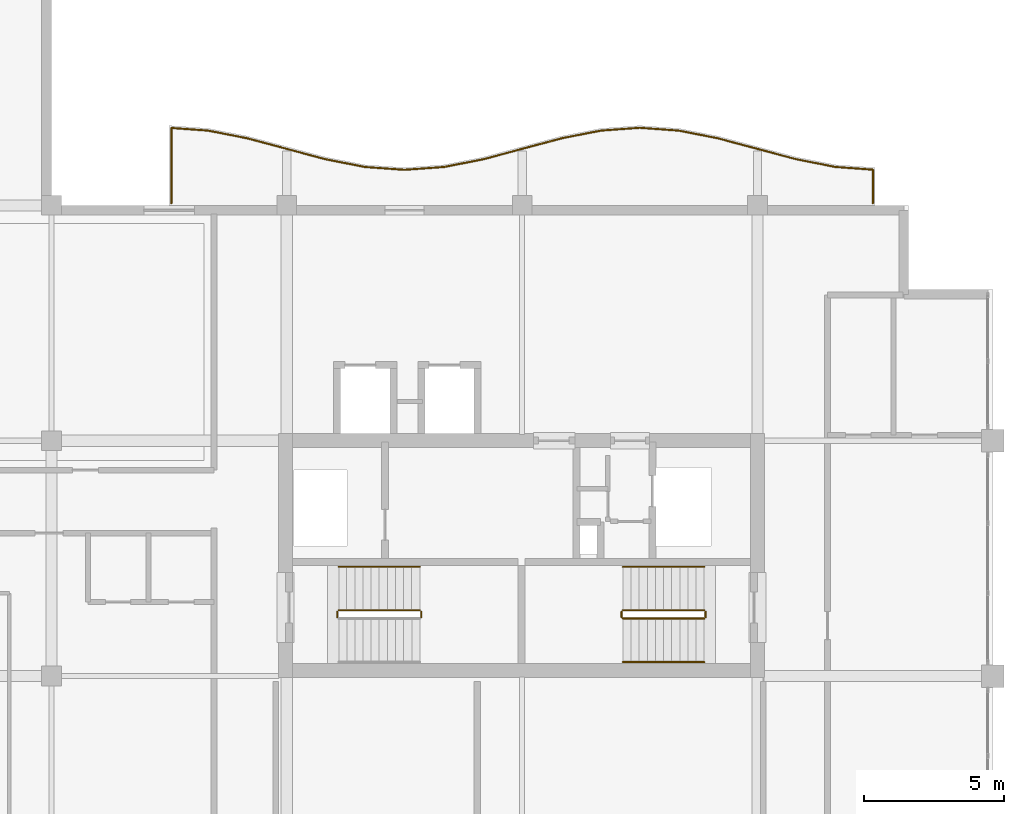
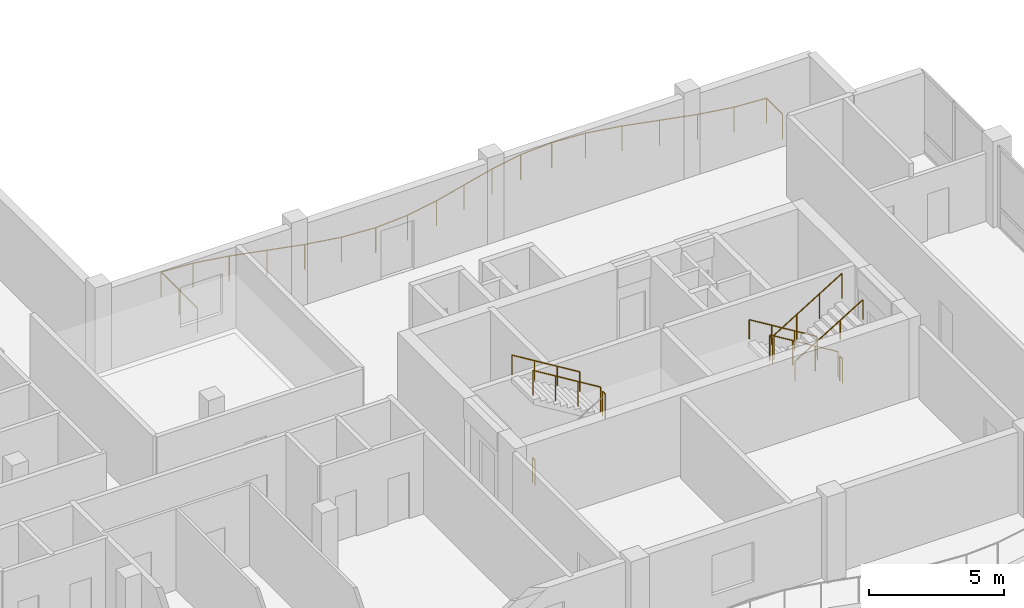
# One storey, part 14 of 15: 11 railings.
"""IFC4 building model written with IfcOpenShell, lengths in metres."""

from ifc_helpers import new_model, si_unit, direction, frame, origin, origin_2d, place, context, subcontext, project, spatial, circle, extrude, material, type_object, element, save


model = new_model("IFC4")

# Units and contexts
model_context = context("Model", 3, precision=1e-05, world=origin(), true_north=direction((0.0, 1.0)))
body_context = subcontext(model_context, "Body", "Model", "MODEL_VIEW")
ifc_project = project(units=[si_unit("LENGTHUNIT", "METRE"), si_unit("AREAUNIT", "SQUARE_METRE"), si_unit("VOLUMEUNIT", "CUBIC_METRE"), si_unit("PLANEANGLEUNIT", "RADIAN"), si_unit("MASSUNIT", "GRAM", prefix="KILO")], contexts=[model_context])

# Site, building, storey
site_placement = place(None, origin())
site = spatial("IfcSite", under=ifc_project, at=site_placement, CompositionType="ELEMENT")
building_placement = place(site_placement, origin())
building = spatial("IfcBuilding", under=site, at=building_placement, Name="Koriwani Terraces Tower", CompositionType="ELEMENT")
storey_placement = place(building_placement, frame((0.0, 0.0, 324.199951171875)))
storey = spatial("IfcBuildingStorey", under=building, at=storey_placement, Name="L80", CompositionType="ELEMENT", Elevation=324.199951171875)

# Railings
ifc_material = material(Name="Steel ASTM A572 Grade 50", Category="steel")
railing_type_1 = type_object("IfcRailingType", Name="GUARD_BALUSTRADE_1150", PredefinedType="BALUSTRADE", material=ifc_material)
railing_1_placement = place(storey_placement, frame((62.919921875, 33.679931640625, 0.0)))
element("IfcRailing", 1, at=railing_1_placement, inside=storey, type_object=railing_type_1, Name="L80 Balcony Perimeter Safety Balustrade (NE)", PredefinedType="BALUSTRADE", context=body_context, shape_type="SweptSolid", body=[
    extrude(circle(Radius=0.02392578125, at=origin_2d()), frame((0.0, 0.0, 1.1259765625), z_axis=(0.0, 1.0, 0.0), x_axis=(-1.0, 0.0, 0.0)), (0.0, 0.0, 1.0), 1.195556640625),
    extrude(circle(Radius=0.02392578125, at=origin_2d()), frame((0.0, 1.195556640625, 1.1259765625), z_axis=(-0.997410163072, 0.071923338365, 0.0), x_axis=(-0.071923338365, -0.997410163072, 0.0)), (0.0, 0.0, 1.0), 1.333984375),
    extrude(circle(Radius=0.02392578125, at=origin_2d()), frame((-1.33056640625, 1.29150390625, 1.1259765625), z_axis=(-0.981358469957, 0.192186246762, 0.0), x_axis=(-0.192186246762, -0.981358469957, 0.0)), (0.0, 0.0, 1.0), 1.434326171875),
    extrude(circle(Radius=0.02392578125, at=origin_2d()), frame((-2.738037109375, 1.567138671875, 1.1259765625), z_axis=(-0.96594917914, 0.258731875344, 0.0), x_axis=(-0.258731875344, -0.96594917914, 0.0)), (0.0, 0.0, 1.0), 2.898681640625),
    extrude(circle(Radius=0.02392578125, at=origin_2d()), frame((-5.5380859375, 2.317138671875, 1.1259765625), z_axis=(-0.981321393675, 0.19237547223, 0.0), x_axis=(-0.19237547223, -0.981321393675, 0.0)), (0.0, 0.0, 1.0), 1.4189453125),
    extrude(circle(Radius=0.02392578125, at=origin_2d()), frame((-6.930419921875, 2.590087890625, 1.1259765625), z_axis=(-0.997427466293, 0.07168297904, 0.0), x_axis=(-0.07168297904, -0.997427466293, 0.0)), (0.0, 0.0, 1.0), 1.39306640625),
    extrude(circle(Radius=0.02392578125, at=origin_2d()), frame((-8.31982421875, 2.68994140625, 1.1259765625), z_axis=(-0.997427466293, -0.07168297904, 0.0), x_axis=(0.07168297904, -0.997427466293, 0.0)), (0.0, 0.0, 1.0), 1.39306640625),
    extrude(circle(Radius=0.02392578125, at=origin_2d()), frame((-9.709228515625, 2.590087890625, 1.1259765625), z_axis=(-0.981327760125, -0.192342993657, 0.0), x_axis=(0.192342993657, -0.981327760125, 0.0)), (0.0, 0.0, 1.0), 1.419189453125),
    extrude(circle(Radius=0.02392578125, at=origin_2d()), frame((-11.101806640625, 2.317138671875, 1.1259765625), z_axis=(-0.96594917914, -0.258731875344, 0.0), x_axis=(0.258731875344, -0.96594917914, 0.0)), (0.0, 0.0, 1.0), 2.898681640625),
    extrude(circle(Radius=0.02392578125, at=origin_2d()), frame((-13.90185546875, 1.567138671875, 1.1259765625), z_axis=(-0.981358469957, -0.192186246762, 0.0), x_axis=(0.192186246762, -0.981358469957, 0.0)), (0.0, 0.0, 1.0), 1.434326171875),
    extrude(circle(Radius=0.02392578125, at=origin_2d()), frame((-15.309326171875, 1.29150390625, 1.1259765625), z_axis=(-0.997430581876, -0.071639614309, 0.0), x_axis=(0.071639614309, -0.997430581876, 0.0)), (0.0, 0.0, 1.0), 1.414306640625),
    extrude(circle(Radius=0.02392578125, at=origin_2d()), frame((-16.719970703125, 1.190185546875, 1.1259765625), z_axis=(-0.997430581876, 0.071639614309, 0.0), x_axis=(-0.071639614309, -0.997430581876, 0.0)), (0.0, 0.0, 1.0), 1.414306640625),
    extrude(circle(Radius=0.02392578125, at=origin_2d()), frame((-18.130615234375, 1.29150390625, 1.1259765625), z_axis=(-0.981352180954, 0.192218357442, 0.0), x_axis=(-0.192218357442, -0.981352180954, 0.0)), (0.0, 0.0, 1.0), 1.43408203125),
    extrude(circle(Radius=0.02392578125, at=origin_2d()), frame((-19.537841796875, 1.567138671875, 1.1259765625), z_axis=(-0.965954816498, 0.258710827923, 0.0), x_axis=(-0.258710827923, -0.965954816498, 0.0)), (0.0, 0.0, 1.0), 2.89892578125),
    extrude(circle(Radius=0.02392578125, at=origin_2d()), frame((-22.338134765625, 2.317138671875, 1.1259765625), z_axis=(-0.981321393675, 0.19237547223, 0.0), x_axis=(-0.19237547223, -0.981321393675, 0.0)), (0.0, 0.0, 1.0), 1.4189453125),
    extrude(circle(Radius=0.02392578125, at=origin_2d()), frame((-23.73046875, 2.590087890625, 1.1259765625), z_axis=(-0.997434099073, 0.071590627916, 0.0), x_axis=(-0.071590627916, -0.997434099073, 0.0)), (0.0, 0.0, 1.0), 1.31298828125),
    extrude(circle(Radius=0.02392578125, at=origin_2d()), frame((-25.0400390625, 2.68408203125, 1.1259765625), z_axis=(0.0, -1.0, 0.0), x_axis=(1.0, 0.0, 0.0)), (0.0, 0.0, 1.0), 2.68408203125),
    extrude(circle(Radius=0.02099609375, at=origin_2d()), origin(), (0.0, 0.0, 1.0), 1.101806640625),
    extrude(circle(Radius=0.02099609375, at=origin_2d()), frame((0.0, 1.195556640625, 0.0)), (0.0, 0.0, 1.0), 1.101806640625),
    extrude(circle(Radius=0.02099609375, at=origin_2d()), frame((-1.33056640625, 1.29150390625, 0.0)), (0.0, 0.0, 1.0), 1.101806640625),
    extrude(circle(Radius=0.02099609375, at=origin_2d()), frame((-2.738037109375, 1.567138671875, 0.0)), (0.0, 0.0, 1.0), 1.101806640625),
    extrude(circle(Radius=0.02099609375, at=origin_2d()), frame((-4.13818359375, 1.942138671875, 0.0)), (0.0, 0.0, 1.0), 1.101806640625),
    extrude(circle(Radius=0.02099609375, at=origin_2d()), frame((-5.5380859375, 2.317138671875, 0.0)), (0.0, 0.0, 1.0), 1.101806640625),
    extrude(circle(Radius=0.02099609375, at=origin_2d()), frame((-6.930419921875, 2.590087890625, 0.0)), (0.0, 0.0, 1.0), 1.101806640625),
    extrude(circle(Radius=0.02099609375, at=origin_2d()), frame((-8.31982421875, 2.68994140625, 0.0)), (0.0, 0.0, 1.0), 1.101806640625),
    extrude(circle(Radius=0.02099609375, at=origin_2d()), frame((-9.709228515625, 2.590087890625, 0.0)), (0.0, 0.0, 1.0), 1.101806640625),
    extrude(circle(Radius=0.02099609375, at=origin_2d()), frame((-11.101806640625, 2.317138671875, 0.0)), (0.0, 0.0, 1.0), 1.101806640625),
    extrude(circle(Radius=0.02099609375, at=origin_2d()), frame((-12.501953125, 1.942138671875, 0.0)), (0.0, 0.0, 1.0), 1.101806640625),
    extrude(circle(Radius=0.02099609375, at=origin_2d()), frame((-13.90185546875, 1.567138671875, 0.0)), (0.0, 0.0, 1.0), 1.101806640625),
    extrude(circle(Radius=0.02099609375, at=origin_2d()), frame((-15.309326171875, 1.29150390625, 0.0)), (0.0, 0.0, 1.0), 1.101806640625),
    extrude(circle(Radius=0.02099609375, at=origin_2d()), frame((-16.719970703125, 1.190185546875, 0.0)), (0.0, 0.0, 1.0), 1.101806640625),
    extrude(circle(Radius=0.02099609375, at=origin_2d()), frame((-18.130615234375, 1.29150390625, 0.0)), (0.0, 0.0, 1.0), 1.101806640625),
    extrude(circle(Radius=0.02099609375, at=origin_2d()), frame((-19.537841796875, 1.567138671875, 0.0)), (0.0, 0.0, 1.0), 1.101806640625),
    extrude(circle(Radius=0.02099609375, at=origin_2d()), frame((-20.93798828125, 1.942138671875, 0.0)), (0.0, 0.0, 1.0), 1.101806640625),
    extrude(circle(Radius=0.02099609375, at=origin_2d()), frame((-22.338134765625, 2.317138671875, 0.0)), (0.0, 0.0, 1.0), 1.101806640625),
    extrude(circle(Radius=0.02099609375, at=origin_2d()), frame((-23.73046875, 2.590087890625, 0.0)), (0.0, 0.0, 1.0), 1.101806640625),
    extrude(circle(Radius=0.02099609375, at=origin_2d()), frame((-25.0400390625, 2.68408203125, 0.0)), (0.0, 0.0, 1.0), 1.101806640625),
    extrude(circle(Radius=0.02099609375, at=origin_2d()), frame((-25.0400390625, 1.342041015625, 0.0)), (0.0, 0.0, 1.0), 1.101806640625),
    extrude(circle(Radius=0.02099609375, at=origin_2d()), frame((-25.0400390625, 0.0, 0.0)), (0.0, 0.0, 1.0), 1.101806640625),
])
railing_type_2 = type_object("IfcRailingType", Name="GUARD_STAIR_WELL_1120", PredefinedType="GUARDRAIL", material=ifc_material)
railing_2_placement = place(storey_placement, frame((46.800048828125, 18.89990234375, 1.949951171875)))
element("IfcRailing", 2, at=railing_2_placement, inside=storey, type_object=railing_type_2, Name="L80 ST-E1 stair guard 2", PredefinedType="GUARDRAIL", context=body_context, shape_type="SweptSolid", body=[
    extrude(circle(Radius=0.02392578125, at=origin_2d()), frame((0.0, 0.0, 1.1259765625), z_axis=(0.0, 1.0, 0.0), x_axis=(-1.0, 0.0, 0.0)), (0.0, 0.0, 1.0), 0.2001953125),
    extrude(circle(Radius=0.02099609375, at=origin_2d()), origin(), (0.0, 0.0, 1.0), 1.101806640625),
    extrude(circle(Radius=0.02099609375, at=origin_2d()), frame((0.0, 0.2001953125, 0.0)), (0.0, 0.0, 1.0), 1.101806640625),
])
railing_3_placement = place(storey_placement, frame((46.75, 19.14990234375, 2.12744140625)))
element("IfcRailing", 3, at=railing_3_placement, inside=storey, type_object=railing_type_2, Name="L80 ST-E1 stair guard 3", PredefinedType="GUARDRAIL", context=body_context, shape_type="SweptSolid", body=[
    extrude(circle(Radius=0.02392578125, at=origin_2d()), frame((0.0, 0.0, 1.1259765625), z_axis=(-0.853210801645, 0.0, 0.521566225858), x_axis=(0.0, -1.0, 0.0)), (0.0, 0.0, 1.0), 3.39892578125),
    extrude(circle(Radius=0.02099609375, at=origin_2d()), origin(), (0.0, 0.0, 1.0), 1.101806640625),
    extrude(circle(Radius=0.02099609375, at=origin_2d()), frame((-0.966552734375, 0.0, 0.5908203125)), (0.0, 0.0, 1.0), 1.101806640625),
    extrude(circle(Radius=0.02099609375, at=origin_2d()), frame((-1.933349609375, 0.0, 1.181884765625)), (0.0, 0.0, 1.0), 1.101806640625),
    extrude(circle(Radius=0.02099609375, at=origin_2d()), frame((-2.89990234375, 0.0, 1.772705078125)), (0.0, 0.0, 1.0), 1.101806640625),
])
railing_4_placement = place(storey_placement, frame((43.800048828125, 18.89990234375, 0.0)))
element("IfcRailing", 4, at=railing_4_placement, inside=storey, type_object=railing_type_2, Name="L80 ST-E1 stair guard 4", PredefinedType="GUARDRAIL", context=body_context, shape_type="SweptSolid", body=[
    extrude(circle(Radius=0.02392578125, at=origin_2d()), frame((0.0, 0.0, 1.1259765625), z_axis=(0.0, 1.0, 0.0), x_axis=(-1.0, 0.0, 0.0)), (0.0, 0.0, 1.0), 0.2001953125),
    extrude(circle(Radius=0.02099609375, at=origin_2d()), origin(), (0.0, 0.0, 1.0), 1.101806640625),
    extrude(circle(Radius=0.02099609375, at=origin_2d()), frame((0.0, 0.2001953125, 0.0)), (0.0, 0.0, 1.0), 1.101806640625),
])
railing_5_placement = place(storey_placement, frame((56.89990234375, 19.14990234375, 0.17724609375)))
element("IfcRailing", 5, at=railing_5_placement, inside=storey, type_object=railing_type_2, Name="L80 ST-E2 stair guard 1", PredefinedType="GUARDRAIL", context=body_context, shape_type="SweptSolid", body=[
    extrude(circle(Radius=0.02392578125, at=origin_2d()), frame((0.0, 0.0, 1.1259765625), z_axis=(-0.853210801645, 0.0, 0.521566225858), x_axis=(0.0, -1.0, 0.0)), (0.0, 0.0, 1.0), 3.39892578125),
    extrude(circle(Radius=0.02099609375, at=origin_2d()), origin(), (0.0, 0.0, 1.0), 1.101806640625),
    extrude(circle(Radius=0.02099609375, at=origin_2d()), frame((-0.966552734375, 0.0, 0.5908203125)), (0.0, 0.0, 1.0), 1.101806640625),
    extrude(circle(Radius=0.02099609375, at=origin_2d()), frame((-1.933349609375, 0.0, 1.181884765625)), (0.0, 0.0, 1.0), 1.101806640625),
    extrude(circle(Radius=0.02099609375, at=origin_2d()), frame((-2.89990234375, 0.0, 1.772705078125)), (0.0, 0.0, 1.0), 1.101806640625),
])
railing_6_placement = place(storey_placement, frame((53.949951171875, 19.10009765625, 1.949951171875)))
element("IfcRailing", 6, at=railing_6_placement, inside=storey, type_object=railing_type_2, Name="L80 ST-E2 stair guard 2", PredefinedType="GUARDRAIL", context=body_context, shape_type="SweptSolid", body=[
    extrude(circle(Radius=0.02392578125, at=origin_2d()), frame((0.0, 0.0, 1.1259765625), z_axis=(0.0, -1.0, 0.0), x_axis=(1.0, 0.0, 0.0)), (0.0, 0.0, 1.0), 0.2001953125),
    extrude(circle(Radius=0.02099609375, at=origin_2d()), origin(), (0.0, 0.0, 1.0), 1.101806640625),
    extrude(circle(Radius=0.02099609375, at=origin_2d()), frame((0.0, -0.2001953125, 0.0)), (0.0, 0.0, 1.0), 1.101806640625),
])
railing_7_placement = place(storey_placement, frame((54.0, 18.85009765625, 2.12744140625)))
element("IfcRailing", 7, at=railing_7_placement, inside=storey, type_object=railing_type_2, Name="L80 ST-E2 stair guard 3", PredefinedType="GUARDRAIL", context=body_context, shape_type="SweptSolid", body=[
    extrude(circle(Radius=0.02392578125, at=origin_2d()), frame((0.0, 0.0, 1.1259765625), z_axis=(0.853210801645, 0.0, 0.521566225858), x_axis=(0.0, 1.0, 0.0)), (0.0, 0.0, 1.0), 3.39892578125),
    extrude(circle(Radius=0.02099609375, at=origin_2d()), origin(), (0.0, 0.0, 1.0), 1.101806640625),
    extrude(circle(Radius=0.02099609375, at=origin_2d()), frame((0.966552734375, 0.0, 0.5908203125)), (0.0, 0.0, 1.0), 1.101806640625),
    extrude(circle(Radius=0.02099609375, at=origin_2d()), frame((1.933349609375, 0.0, 1.181884765625)), (0.0, 0.0, 1.0), 1.101806640625),
    extrude(circle(Radius=0.02099609375, at=origin_2d()), frame((2.89990234375, 0.0, 1.772705078125)), (0.0, 0.0, 1.0), 1.101806640625),
])
railing_8_placement = place(storey_placement, frame((56.949951171875, 19.10009765625, 0.0)))
element("IfcRailing", 8, at=railing_8_placement, inside=storey, type_object=railing_type_2, Name="L80 ST-E2 stair guard 4", PredefinedType="GUARDRAIL", context=body_context, shape_type="SweptSolid", body=[
    extrude(circle(Radius=0.02392578125, at=origin_2d()), frame((0.0, 0.0, 1.1259765625), z_axis=(0.0, -1.0, 0.0), x_axis=(1.0, 0.0, 0.0)), (0.0, 0.0, 1.0), 0.2001953125),
    extrude(circle(Radius=0.02099609375, at=origin_2d()), origin(), (0.0, 0.0, 1.0), 1.101806640625),
    extrude(circle(Radius=0.02099609375, at=origin_2d()), frame((0.0, -0.2001953125, 0.0)), (0.0, 0.0, 1.0), 1.101806640625),
])
railing_type_3 = type_object("IfcRailingType", Name="HANDRAIL_STAIR_920", PredefinedType="HANDRAIL", material=ifc_material)
for number, where, name in (
    (9, (46.75, 20.699951171875, 2.12744140625), "L80 ST-E1 stair handrail 2"),
    (10, (56.89990234375, 20.699951171875, 0.17724609375), "L80 ST-E2 stair handrail 1"),
):
    element("IfcRailing", number, at=place(storey_placement, frame(where)), inside=storey, type_object=railing_type_3, Name=name, PredefinedType="HANDRAIL", context=body_context, shape_type="SweptSolid", body=[
        extrude(circle(Radius=0.02392578125, at=origin_2d()), frame((0.0, 0.0, 0.8759765625), z_axis=(-0.853210801645, 0.0, 0.521566225858), x_axis=(0.0, -1.0, 0.0)), (0.0, 0.0, 1.0), 3.39892578125),
        extrude(circle(Radius=0.02099609375, at=origin_2d()), origin(), (0.0, 0.0, 1.0), 0.851806640625),
        extrude(circle(Radius=0.02099609375, at=origin_2d()), frame((-0.966552734375, 0.0, 0.5908203125)), (0.0, 0.0, 1.0), 0.851806640625),
        extrude(circle(Radius=0.02099609375, at=origin_2d()), frame((-1.933349609375, 0.0, 1.181884765625)), (0.0, 0.0, 1.0), 0.851806640625),
        extrude(circle(Radius=0.02099609375, at=origin_2d()), frame((-2.89990234375, 0.0, 1.772705078125)), (0.0, 0.0, 1.0), 0.851806640625),
    ])
railing_9_placement = place(storey_placement, frame((54.0, 17.300048828125, 2.12744140625)))
element("IfcRailing", 11, at=railing_9_placement, inside=storey, type_object=railing_type_3, Name="L80 ST-E2 stair handrail 2", PredefinedType="HANDRAIL", context=body_context, shape_type="SweptSolid", body=[
    extrude(circle(Radius=0.02392578125, at=origin_2d()), frame((0.0, 0.0, 0.8759765625), z_axis=(0.853210801645, 0.0, 0.521566225858), x_axis=(0.0, 1.0, 0.0)), (0.0, 0.0, 1.0), 3.39892578125),
    extrude(circle(Radius=0.02099609375, at=origin_2d()), origin(), (0.0, 0.0, 1.0), 0.851806640625),
    extrude(circle(Radius=0.02099609375, at=origin_2d()), frame((0.966552734375, 0.0, 0.5908203125)), (0.0, 0.0, 1.0), 0.851806640625),
    extrude(circle(Radius=0.02099609375, at=origin_2d()), frame((1.933349609375, 0.0, 1.181884765625)), (0.0, 0.0, 1.0), 0.851806640625),
    extrude(circle(Radius=0.02099609375, at=origin_2d()), frame((2.89990234375, 0.0, 1.772705078125)), (0.0, 0.0, 1.0), 0.851806640625),
])

save(model, "model.ifc")
